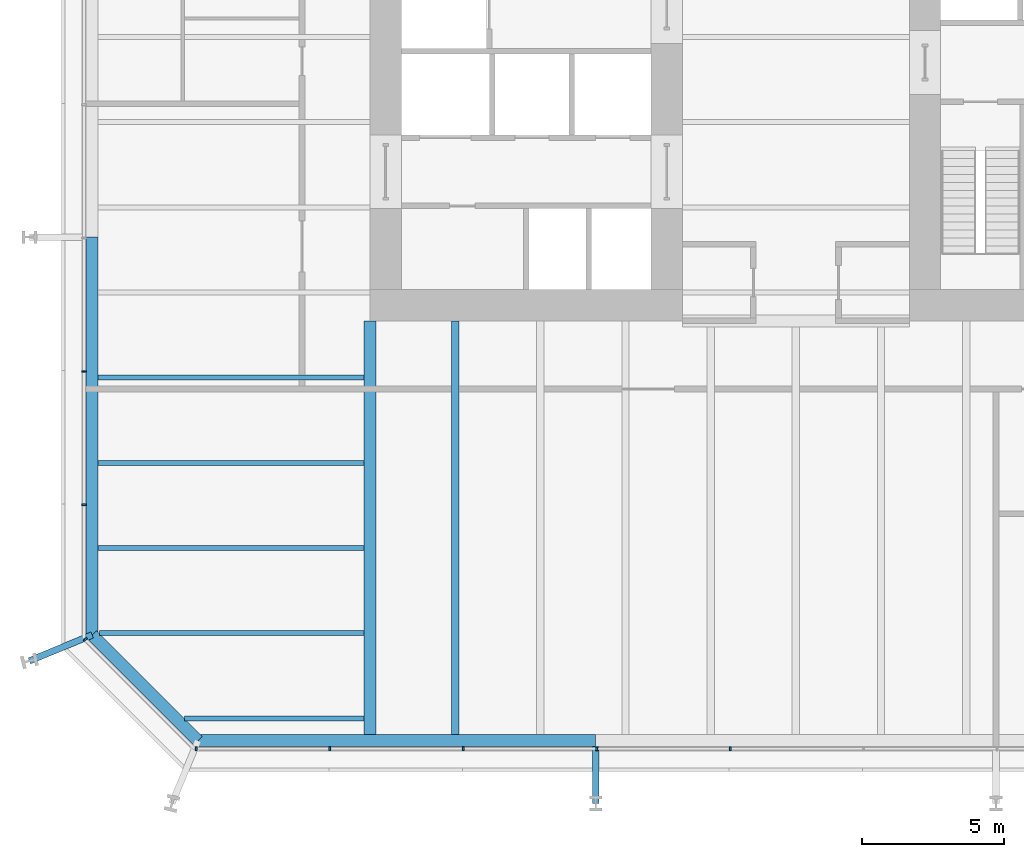
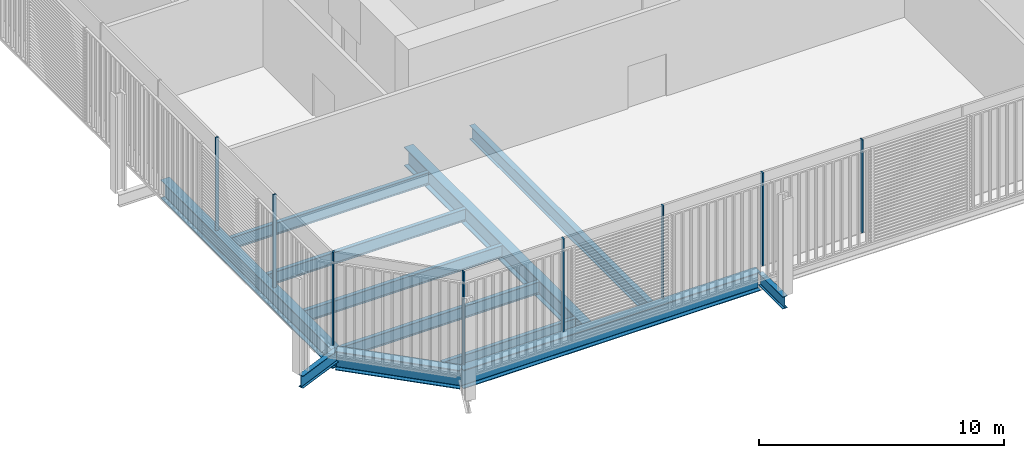
# One storey, part 2 of 22: 12 beams, 8 members, 3 elements without a shape of their own.
"""IFC4 building model written with IfcOpenShell, lengths in metres."""

from ifc_helpers import new_model, si_unit, direction, frame, origin, origin_2d, place, context, subcontext, project, spatial, rectangle, i_section, extrude, material, layer, layer_set, material_profile, profile_set, type_object, element, aggregate, save


model = new_model("IFC4")

# Units and contexts
model_context = context("Model", 3, precision=1e-05, world=origin(), true_north=direction((0.0, 1.0)))
body_context = subcontext(model_context, "Body", "Model", "MODEL_VIEW")
ifc_project = project(units=[si_unit("LENGTHUNIT", "METRE"), si_unit("AREAUNIT", "SQUARE_METRE"), si_unit("VOLUMEUNIT", "CUBIC_METRE"), si_unit("PLANEANGLEUNIT", "RADIAN"), si_unit("MASSUNIT", "GRAM", prefix="KILO")], contexts=[model_context])

# Site, building, storey
site_placement = place(None, origin())
site = spatial("IfcSite", under=ifc_project, at=site_placement, CompositionType="ELEMENT")
building_placement = place(site_placement, origin())
building = spatial("IfcBuilding", under=site, at=building_placement, Name="Millrace Tower", CompositionType="ELEMENT")
storey_placement = place(building_placement, frame((0.0, 0.0, 59.300048828125)))
storey = spatial("IfcBuildingStorey", under=building, at=storey_placement, Name="L13", CompositionType="ELEMENT", Elevation=59.300048828125)

# Curtain wall, member
ifc_material_1 = material(Name="Aluminium and glass", Category="aluminium")
ifc_layer = layer(ifc_material_1, 0.14990234375)
ifc_layer_set = layer_set([ifc_layer], Name="Aluminium and glass")
curtain_wall_type = type_object("IfcCurtainWallType", Name="CW-2 data hall insulated curtain wall", PredefinedType="NOTDEFINED", material=ifc_layer_set)
placement = place(storey_placement, origin())
curtain_wall_1 = element("IfcCurtainWall", 1, at=placement, inside=storey, type_object=curtain_wall_type, Name="Curtain wall A-F01 L13", PredefinedType="NOTDEFINED")
ifc_material_2 = material(Name="Aluminium", Category="aluminium")
ifc_material_profile_1 = material_profile(ifc_material_2, rectangle(XDim=0.06494140625, YDim=0.14990234375, at=origin_2d()))
ifc_profile_set_1 = profile_set([ifc_material_profile_1], Name="Aluminium")
member_type = type_object("IfcMemberType", Name="CW-2 data hall insulated curtain wall mullion", PredefinedType="MULLION", material=ifc_profile_set_1)
member_1_placement = place(storey_placement, frame((-25.030029296875, -21.22607421875, 0.159912109375), z_axis=(0.0, 0.0, 1.0), x_axis=(0.707106781187, -0.707106781187, 0.0)))
member_1 = element("IfcMember", 2, at=member_1_placement, type_object=member_type, Name="CW2 mullion A-F01.1", PredefinedType="MULLION", context=body_context, shape_type="SweptSolid", body=[
    extrude(rectangle(XDim=0.06494140625, YDim=0.14990234375, at=origin_2d()), origin(), (0.0, 0.0, 1.0), 4.64013671875),
])
aggregate(curtain_wall_1, [member_1])

# Curtain wall, members
curtain_wall_2 = element("IfcCurtainWall", 3, at=placement, inside=storey, type_object=curtain_wall_type, Name="Curtain wall A-F02 L13", PredefinedType="NOTDEFINED")
member_2_placement = place(storey_placement, frame((-21.117431640625, -25.074951171875, 0.159912109375), z_axis=(0.0, 0.0, 1.0), x_axis=(1.0, 0.0, 0.0)))
member_2 = element("IfcMember", 4, at=member_2_placement, type_object=member_type, Name="CW2 mullion A-F02.1", PredefinedType="MULLION", context=body_context, shape_type="SweptSolid", body=[
    extrude(rectangle(XDim=0.06494140625, YDim=0.14990234375, at=origin_2d()), origin(), (0.0, 0.0, 1.0), 4.64013671875),
])
member_3_placement = place(storey_placement, frame((-16.41748046875, -25.074951171875, 0.159912109375), z_axis=(0.0, 0.0, 1.0), x_axis=(1.0, 0.0, 0.0)))
member_3 = element("IfcMember", 5, at=member_3_placement, type_object=member_type, Name="CW2 mullion A-F02.2", PredefinedType="MULLION", context=body_context, shape_type="SweptSolid", body=[
    extrude(rectangle(XDim=0.06494140625, YDim=0.14990234375, at=origin_2d()), origin(), (0.0, 0.0, 1.0), 4.64013671875),
])
member_4_placement = place(storey_placement, frame((-11.717529296875, -25.074951171875, 0.159912109375), z_axis=(0.0, 0.0, 1.0), x_axis=(1.0, 0.0, 0.0)))
member_4 = element("IfcMember", 6, at=member_4_placement, type_object=member_type, Name="CW2 mullion A-F02.3", PredefinedType="MULLION", context=body_context, shape_type="SweptSolid", body=[
    extrude(rectangle(XDim=0.06494140625, YDim=0.14990234375, at=origin_2d()), origin(), (0.0, 0.0, 1.0), 4.64013671875),
])
member_5_placement = place(storey_placement, frame((-7.017578125, -25.074951171875, 0.159912109375), z_axis=(0.0, 0.0, 1.0), x_axis=(1.0, 0.0, 0.0)))
member_5 = element("IfcMember", 7, at=member_5_placement, type_object=member_type, Name="CW2 mullion A-F02.4", PredefinedType="MULLION", context=body_context, shape_type="SweptSolid", body=[
    extrude(rectangle(XDim=0.06494140625, YDim=0.14990234375, at=origin_2d()), origin(), (0.0, 0.0, 1.0), 4.64013671875),
])
member_6_placement = place(storey_placement, frame((-2.3173828125, -25.074951171875, 0.159912109375), z_axis=(0.0, 0.0, 1.0), x_axis=(1.0, 0.0, 0.0)))
member_6 = element("IfcMember", 8, at=member_6_placement, type_object=member_type, Name="CW2 mullion A-F02.5", PredefinedType="MULLION", context=body_context, shape_type="SweptSolid", body=[
    extrude(rectangle(XDim=0.06494140625, YDim=0.14990234375, at=origin_2d()), origin(), (0.0, 0.0, 1.0), 4.64013671875),
])
aggregate(curtain_wall_2, [member_2, member_3, member_4, member_5, member_6])

curtain_wall_3 = element("IfcCurtainWall", 9, at=placement, inside=storey, type_object=curtain_wall_type, Name="Curtain wall A-F08 L13", PredefinedType="NOTDEFINED")
member_7_placement = place(storey_placement, frame((-25.074951171875, -11.782470703125, 0.159912109375), z_axis=(0.0, 0.0, 1.0), x_axis=(0.0, -1.0, 0.0)))
member_7 = element("IfcMember", 10, at=member_7_placement, type_object=member_type, Name="CW2 mullion A-F08.8", PredefinedType="MULLION", context=body_context, shape_type="SweptSolid", body=[
    extrude(rectangle(XDim=0.06494140625, YDim=0.14990234375, at=origin_2d()), origin(), (0.0, 0.0, 1.0), 4.64013671875),
])
member_8_placement = place(storey_placement, frame((-25.074951171875, -16.482421875, 0.159912109375), z_axis=(0.0, 0.0, 1.0), x_axis=(0.0, -1.0, 0.0)))
member_8 = element("IfcMember", 11, at=member_8_placement, type_object=member_type, Name="CW2 mullion A-F08.9", PredefinedType="MULLION", context=body_context, shape_type="SweptSolid", body=[
    extrude(rectangle(XDim=0.06494140625, YDim=0.14990234375, at=origin_2d()), origin(), (0.0, 0.0, 1.0), 4.64013671875),
])
aggregate(curtain_wall_3, [member_7, member_8])

# Beams
ifc_material_3 = material(Name="Steel ASTM A992 Grade 50", Category="steel")
ifc_material_profile_2 = material_profile(ifc_material_3, i_section(OverallWidth=0.177978515625, OverallDepth=0.599365234375, WebThickness=0.010009765625, FlangeThickness=0.012939453125, FilletRadius=0.012939453125, at=origin_2d()))
ifc_profile_set_2 = profile_set([ifc_material_profile_2], Name="Steel ASTM A992 Grade 50")
beam_type_1 = type_object("IfcBeamType", Name="Floor beam W24x55", PredefinedType="JOIST", material=ifc_profile_set_2)
beam_1_placement = place(storey_placement, frame((-21.52978515625, -24.0, -0.524658203125), z_axis=(1.0, 0.0, 0.0), x_axis=(0.0, 1.0, 0.0)))
element("IfcBeam", 12, at=beam_1_placement, inside=storey, type_object=beam_type_1, Name="BM-A-L13-S1-S001", PredefinedType="JOIST", context=body_context, shape_type="SweptSolid", body=[
    extrude(i_section(OverallWidth=0.177978515625, OverallDepth=0.599365234375, WebThickness=0.010009765625, FlangeThickness=0.012939453125, FilletRadius=0.012939453125, at=origin_2d()), origin(), (0.0, 0.0, 1.0), 6.317626953125),
])
ifc_material_4 = material(Name="Steel ASTM A992 Grade 50", Category="steel")
ifc_material_profile_3 = material_profile(ifc_material_4, i_section(OverallWidth=0.1787109375, OverallDepth=0.60205078125, WebThickness=0.010986328125, FlangeThickness=0.014892578125, FilletRadius=0.0126953125, at=origin_2d()))
ifc_profile_set_3 = profile_set([ifc_material_profile_3], Name="Steel ASTM A992 Grade 50")
beam_type_2 = type_object("IfcBeamType", Name="Floor beam W24x62", PredefinedType="JOIST", material=ifc_profile_set_3)
for number, where, z_axis, x_axis, name in (
    (13, (-24.578369140625, -18.0, -0.526123046875), (1.0, 0.0, 0.0), (0.0, 1.0, 0.0), "BM-A-L13-S1-S005"),
    (14, (-24.578369140625, -15.0, -0.526123046875), (1.0, 0.0, 0.0), (0.0, 1.0, 0.0), "BM-A-L13-S1-S007"),
    (15, (-24.578369140625, -12.0, -0.526123046875), (1.0, 0.0, 0.0), (0.0, 1.0, 0.0), "BM-A-L13-S1-S009"),
):
    element("IfcBeam", number, at=place(storey_placement, frame(where, z_axis=z_axis, x_axis=x_axis)), inside=storey, type_object=beam_type_2, Name=name, PredefinedType="JOIST", context=body_context, shape_type="SweptSolid", body=[
        extrude(i_section(OverallWidth=0.1787109375, OverallDepth=0.60205078125, WebThickness=0.010986328125, FlangeThickness=0.014892578125, FilletRadius=0.0126953125, at=origin_2d()), origin(), (0.0, 0.0, 1.0), 9.3662109375),
    ])
beam_2_placement = place(storey_placement, frame((-24.52978515625, -21.0, -0.526123046875), z_axis=(1.0, 0.0, 0.0), x_axis=(0.0, 1.0, 0.0)))
element("IfcBeam", 16, at=beam_2_placement, inside=storey, type_object=beam_type_2, Name="BM-A-L13-S1-S003", PredefinedType="JOIST", context=body_context, shape_type="SweptSolid", body=[
    extrude(i_section(OverallWidth=0.1787109375, OverallDepth=0.60205078125, WebThickness=0.010986328125, FlangeThickness=0.014892578125, FilletRadius=0.0126953125, at=origin_2d()), origin(), (0.0, 0.0, 1.0), 9.317626953125),
])
ifc_material_5 = material(Name="Steel ASTM A992 Grade 50", Category="steel")
ifc_material_profile_4 = material_profile(ifc_material_5, i_section(OverallWidth=0.256591796875, OverallDepth=0.693359375, WebThickness=0.014404296875, FlangeThickness=0.023681640625, FilletRadius=0.01513671875, at=origin_2d()))
ifc_profile_set_4 = profile_set([ifc_material_profile_4], Name="Steel ASTM A992 Grade 50")
beam_type_3 = type_object("IfcBeamType", Name="Floor beam W27x114", PredefinedType="JOIST", material=ifc_profile_set_4)
beam_3_placement = place(storey_placement, frame((-12.0, -24.578369140625, -0.57177734375), z_axis=(0.0, 1.0, 0.0), x_axis=(-1.0, 0.0, 0.0)))
element("IfcBeam", 17, at=beam_3_placement, inside=storey, type_object=beam_type_3, Name="BM-A-L13-S1-S043", PredefinedType="JOIST", context=body_context, shape_type="SweptSolid", body=[
    extrude(i_section(OverallWidth=0.256591796875, OverallDepth=0.693359375, WebThickness=0.014404296875, FlangeThickness=0.023681640625, FilletRadius=0.01513671875, at=origin_2d()), origin(), (0.0, 0.0, 1.0), 14.578369140625),
])
ifc_material_6 = material(Name="Steel ASTM A992 Grade 50", Category="steel")
ifc_material_profile_5 = material_profile(ifc_material_6, i_section(OverallWidth=0.424072265625, OverallDepth=0.947509765625, WebThickness=0.02392578125, FlangeThickness=0.042724609375, FilletRadius=0.024169921875, at=origin_2d()))
ifc_profile_set_5 = profile_set([ifc_material_profile_5], Name="Steel ASTM A992 Grade 50")
beam_type_4 = type_object("IfcBeamType", Name="Girder medium span W36x302", PredefinedType="BEAM", material=ifc_profile_set_5)
beam_4_placement = place(storey_placement, frame((-15.0, -24.578369140625, -0.69873046875), z_axis=(0.0, 1.0, 0.0), x_axis=(-1.0, 0.0, 0.0)))
element("IfcBeam", 18, at=beam_4_placement, inside=storey, type_object=beam_type_4, Name="BM-A-L13-S1-G061", PredefinedType="BEAM", context=body_context, shape_type="SweptSolid", body=[
    extrude(i_section(OverallWidth=0.424072265625, OverallDepth=0.947509765625, WebThickness=0.02392578125, FlangeThickness=0.042724609375, FilletRadius=0.024169921875, at=origin_2d()), origin(), (0.0, 0.0, 1.0), 14.578369140625),
])
ifc_material_7 = material(Name="Steel ASTM A992 Grade 50", Category="steel")
ifc_material_profile_6 = material_profile(ifc_material_7, i_section(OverallWidth=0.23046875, OverallDepth=0.6171875, WebThickness=0.01318359375, FlangeThickness=0.022216796875, FilletRadius=0.012939453125, at=origin_2d()))
ifc_profile_set_6 = profile_set([ifc_material_profile_6], Name="Steel ASTM A992 Grade 50")
beam_type_5 = type_object("IfcBeamType", Name="Link beam W24x94", PredefinedType="BEAM", material=ifc_profile_set_6)
beam_5_placement = place(storey_placement, frame((-24.7890625, -21.062744140625, -0.53369140625), z_axis=(-0.923883789366, -0.382673155247, 0.0), x_axis=(0.382673155247, -0.923883789366, 0.0)))
element("IfcBeam", 19, at=beam_5_placement, inside=storey, type_object=beam_type_5, Name="LNK-A-L13-S1-01", PredefinedType="BEAM", context=body_context, shape_type="SweptSolid", body=[
    extrude(i_section(OverallWidth=0.23046875, OverallDepth=0.6171875, WebThickness=0.01318359375, FlangeThickness=0.022216796875, FilletRadius=0.012939453125, at=origin_2d()), origin(), (0.0, 0.0, 1.0), 2.39306640625),
])
beam_6_placement = place(storey_placement, frame((-7.050048828125, -25.0, -0.53369140625), z_axis=(0.0, -1.0, 0.0), x_axis=(1.0, 0.0, 0.0)))
element("IfcBeam", 20, at=beam_6_placement, inside=storey, type_object=beam_type_5, Name="LNK-A-L13-S1-15", PredefinedType="BEAM", context=body_context, shape_type="SweptSolid", body=[
    extrude(i_section(OverallWidth=0.23046875, OverallDepth=0.6171875, WebThickness=0.01318359375, FlangeThickness=0.022216796875, FilletRadius=0.012939453125, at=origin_2d()), origin(), (0.0, 0.0, 1.0), 2.0),
])
ifc_material_8 = material(Name="Steel ASTM A992 Grade 50", Category="steel")
ifc_material_profile_7 = material_profile(ifc_material_8, i_section(OverallWidth=0.421630859375, OverallDepth=0.937255859375, WebThickness=0.021240234375, FlangeThickness=0.03662109375, FilletRadius=0.024169921875, at=origin_2d()))
ifc_profile_set_7 = profile_set([ifc_material_profile_7], Name="Steel ASTM A992 Grade 50")
beam_type_6 = type_object("IfcBeamType", Name="Ring beam medium span W36x262", PredefinedType="SPANDREL", material=ifc_profile_set_7)
for number, where, z_axis, x_axis, name in (
    (21, (-24.7890625, -21.062744140625, -0.693603515625), (0.0, 1.0, 0.0), (-1.0, 0.0, 0.0), "RNG-A-L13-S1-01"),
    (22, (-7.050048828125, -24.7890625, -0.693603515625), (-1.0, 0.0, 0.0), (0.0, -1.0, 0.0), "RNG-A-L13-S1-15"),
):
    element("IfcBeam", number, at=place(storey_placement, frame(where, z_axis=z_axis, x_axis=x_axis)), inside=storey, type_object=beam_type_6, Name=name, PredefinedType="SPANDREL", context=body_context, shape_type="SweptSolid", body=[
        extrude(i_section(OverallWidth=0.421630859375, OverallDepth=0.937255859375, WebThickness=0.021240234375, FlangeThickness=0.03662109375, FilletRadius=0.024169921875, at=origin_2d()), origin(), (0.0, 0.0, 1.0), 14.0126953125),
    ])
ifc_material_9 = material(Name="Steel ASTM A992 Grade 50", Category="steel")
ifc_material_profile_8 = material_profile(ifc_material_9, i_section(OverallWidth=0.421630859375, OverallDepth=0.937255859375, WebThickness=0.021240234375, FlangeThickness=0.03662109375, FilletRadius=0.024169921875, at=origin_2d()))
ifc_profile_set_8 = profile_set([ifc_material_profile_8], Name="Steel ASTM A992 Grade 50")
beam_type_7 = type_object("IfcBeamType", Name="Ring beam short span W36x262", PredefinedType="SPANDREL", material=ifc_profile_set_8)
beam_7_placement = place(storey_placement, frame((-21.062744140625, -24.7890625, -0.693603515625), z_axis=(-0.707106781187, 0.707106781187, 0.0), x_axis=(-0.707106781187, -0.707106781187, 0.0)))
element("IfcBeam", 23, at=beam_7_placement, inside=storey, type_object=beam_type_7, Name="RNG-A-L13-S1-16", PredefinedType="SPANDREL", context=body_context, shape_type="SweptSolid", body=[
    extrude(i_section(OverallWidth=0.421630859375, OverallDepth=0.937255859375, WebThickness=0.021240234375, FlangeThickness=0.03662109375, FilletRadius=0.024169921875, at=origin_2d()), origin(), (0.0, 0.0, 1.0), 5.269775390625),
])

save(model, "model.ifc")
